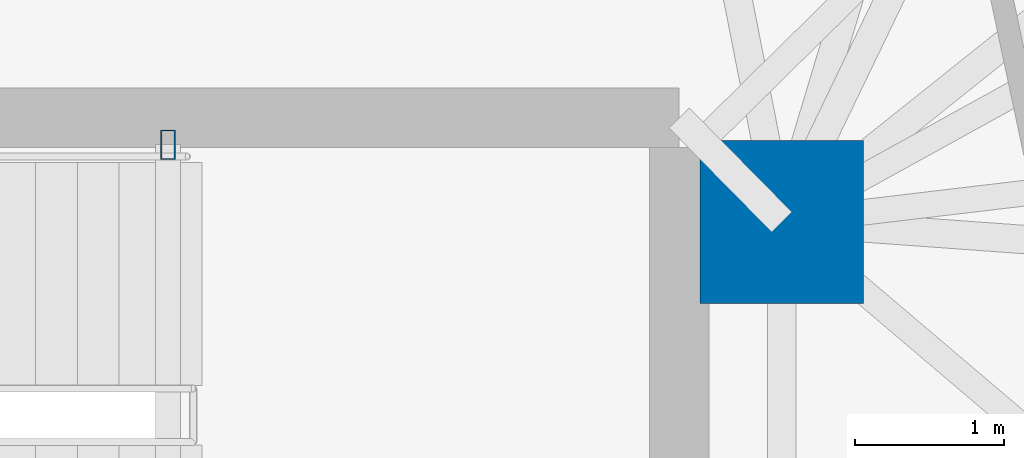
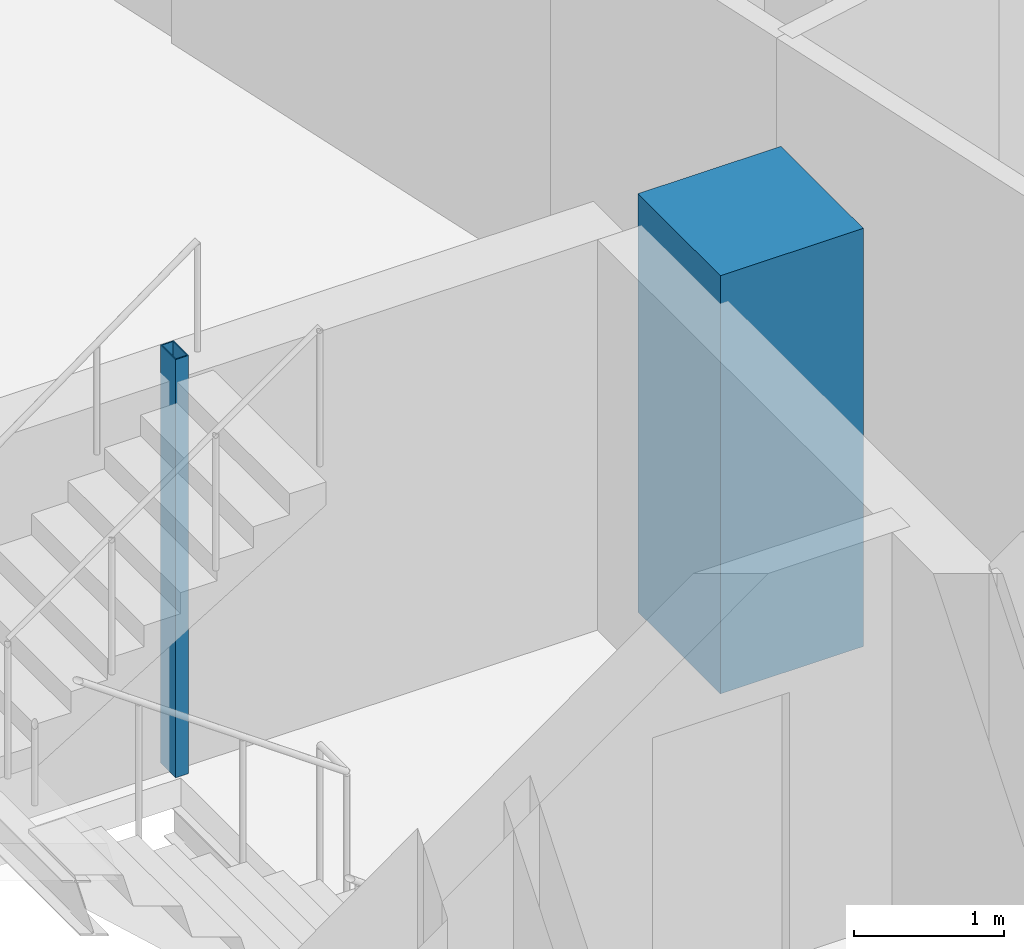
# One storey, part 4 of 19: 2 columns.
"""IFC4 building model written with IfcOpenShell, lengths in metres."""

from ifc_helpers import new_model, si_unit, direction, frame, origin, origin_2d, place, context, subcontext, project, spatial, rectangle, hollow_rectangle, extrude, material, material_profile, profile_set, type_object, element, save


model = new_model("IFC4")

# Units and contexts
model_context = context("Model", 3, precision=1e-05, world=origin(), true_north=direction((0.0, 1.0)))
body_context = subcontext(model_context, "Body", "Model", "MODEL_VIEW")
ifc_project = project(units=[si_unit("LENGTHUNIT", "METRE"), si_unit("AREAUNIT", "SQUARE_METRE"), si_unit("VOLUMEUNIT", "CUBIC_METRE"), si_unit("PLANEANGLEUNIT", "RADIAN"), si_unit("MASSUNIT", "GRAM", prefix="KILO")], contexts=[model_context])

# Site, building, storey
site_placement = place(None, origin())
site = spatial("IfcSite", under=ifc_project, at=site_placement, CompositionType="ELEMENT")
building_placement = place(site_placement, origin())
building = spatial("IfcBuilding", under=site, at=building_placement, Name="Menara Jurai Vektor", CompositionType="ELEMENT")
storey_placement = place(building_placement, frame((0.0, 0.0, 151.39990234375)))
storey = spatial("IfcBuildingStorey", under=building, at=storey_placement, Name="L38", CompositionType="ELEMENT", Elevation=151.39990234375)

# Columns
ifc_material_1 = material(Name="Concrete C50/60", Category="concrete")
ifc_material_profile_1 = material_profile(ifc_material_1, rectangle(XDim=1.10009765625, YDim=1.10009765625, at=origin_2d()), Name="RC 1100x1100")
ifc_profile_set_1 = profile_set([ifc_material_profile_1], Name="Concrete C50/60")
column_type_1 = type_object("IfcColumnType", Name="STR-COL-RC1100", PredefinedType="COLUMN", material=ifc_profile_set_1)
column_1_placement = place(storey_placement, frame((15.25, 4.89990234375, 0.0), z_axis=(0.0, 0.0, 1.0), x_axis=(1.0, 0.0, 0.0)))
element("IfcColumn", 1, at=column_1_placement, inside=storey, type_object=column_type_1, Name="Core Spine Column CE-NE L38", PredefinedType="COLUMN", context=body_context, shape_type="SweptSolid", body=[
    extrude(rectangle(XDim=1.10009765625, YDim=1.10009765625, at=origin_2d()), origin(), (0.0, 0.0, 1.0), 3.400146484375),
])
ifc_material_2 = material(Name="Steel S355", Category="steel")
ifc_material_profile_2 = material_profile(ifc_material_2, hollow_rectangle(XDim=0.10009765625, YDim=0.199951171875, WallThickness=0.008056640625, at=origin_2d()), Name="RHS 200x100x8")
ifc_profile_set_2 = profile_set([ifc_material_profile_2], Name="Steel S355")
column_type_2 = type_object("IfcColumnType", Name="STR-COL-STAIR", PredefinedType="COLUMN", material=ifc_profile_set_2)
column_2_placement = place(storey_placement, frame((11.1201171875, 5.419921875, 0.0), z_axis=(0.0, 0.0, 1.0), x_axis=(1.0, 0.0, 0.0)))
element("IfcColumn", 2, at=column_2_placement, inside=storey, type_object=column_type_2, Name="Stair Well Header Column ST2-P2 L38", PredefinedType="COLUMN", context=body_context, shape_type="SweptSolid", body=[
    extrude(hollow_rectangle(XDim=0.10009765625, YDim=0.199951171875, WallThickness=0.008056640625, at=origin_2d()), origin(), (0.0, 0.0, 1.0), 3.400146484375),
])

save(model, "model.ifc")
